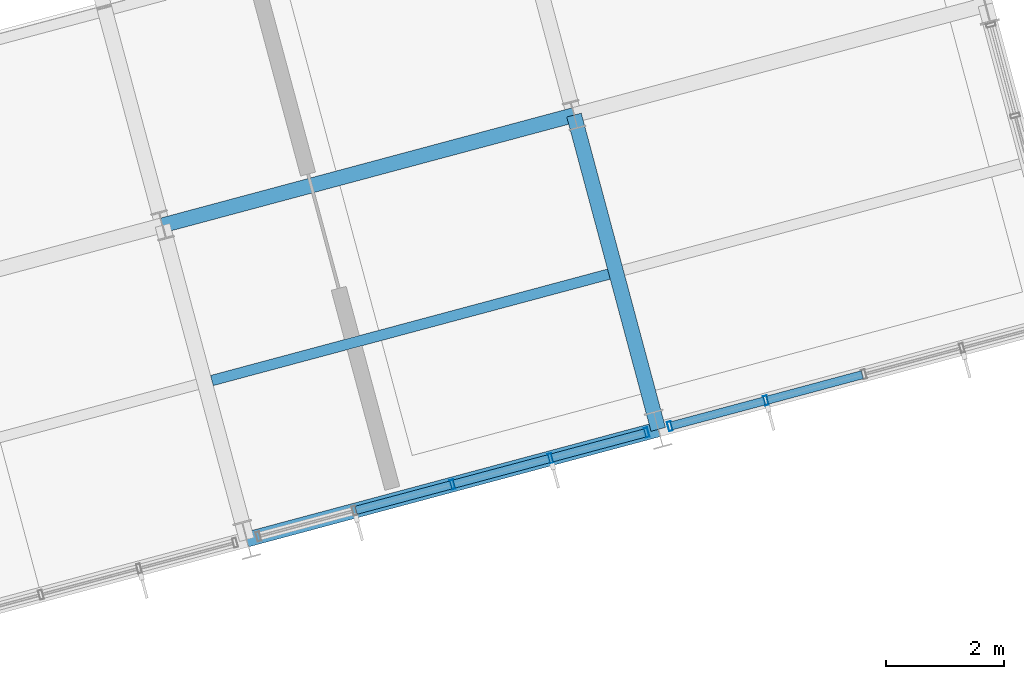
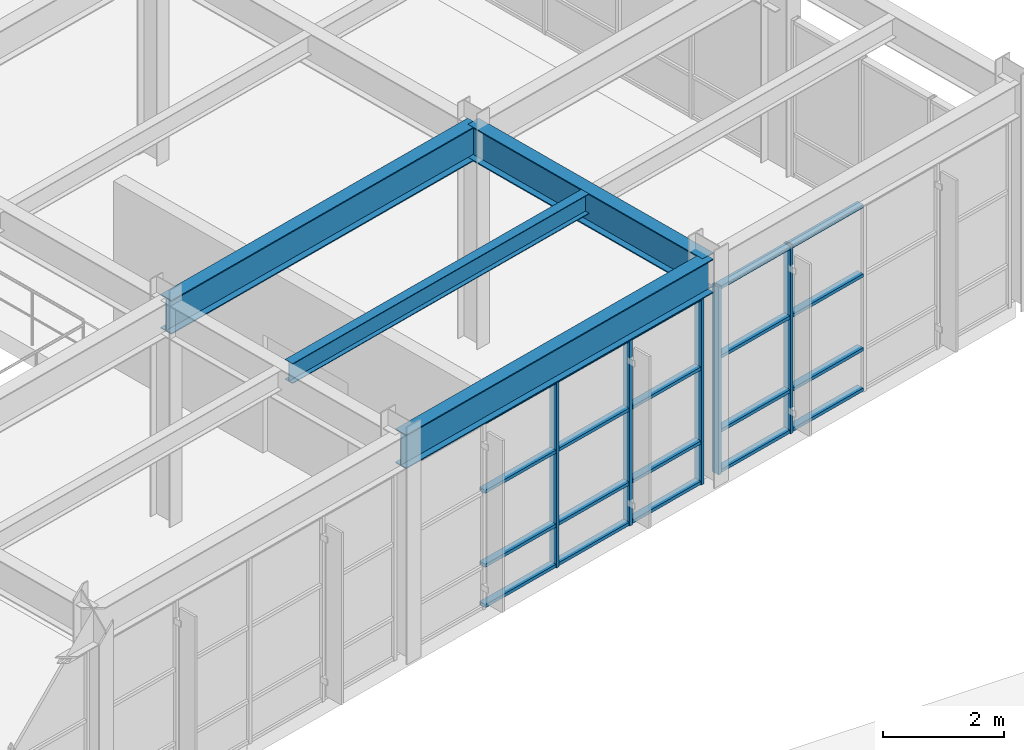
# One storey, part 46 of 104: 25 members, 4 beams, 2 elements without a shape of their own.
"""IFC4 building model written with IfcOpenShell, lengths in metres."""

import ifcopenshell
import ifcopenshell.guid

model = None  # the IFC model being written
_history = None  # IfcOwnerHistory: only IFC2X3 demands one
_inside = {}  # id of a spatial element -> (the spatial element, [elements in it])
_under = {}  # id of a project, library or spatial element -> (it, [spatial elements below it])
_declared = {}  # id of a project -> (the project, [libraries it declares])
_typed = {}  # id of a type object -> (the type object, [elements of that type])
_made_of = {}  # id of a material, layer set ... -> (it, [elements and type objects made of it])


def new_model(schema):
    """Start an empty IFC model of exactly this schema.

    Asked for "IFC4X3", IfcOpenShell would pick the latest addendum, in which some entities
    have other attributes; the version numbers below select the first issue.
    IFC2X3 requires an IfcOwnerHistory on every rooted entity: one is made here for all.
    """
    global model, _history
    if schema == "IFC4X3":
        model = ifcopenshell.file(schema_version=(4, 3, 0, 0))
    else:
        model = ifcopenshell.file(schema=schema)
    _inside.clear()
    _under.clear()
    _declared.clear()
    _typed.clear()
    _made_of.clear()
    _history = None
    if model.schema == "IFC2X3":
        org = make("IfcOrganization", Name="unknown")
        user = make(
            "IfcPersonAndOrganization",
            ThePerson=make("IfcPerson", FamilyName="unknown"),
            TheOrganization=org,
        )
        app = make(
            "IfcApplication",
            ApplicationDeveloper=org,
            Version="unknown",
            ApplicationFullName="unknown",
            ApplicationIdentifier="unknown",
        )
        _history = make(
            "IfcOwnerHistory",
            OwningUser=user,
            OwningApplication=app,
            ChangeAction="ADDED",
            CreationDate=0,
        )
    return model


def make(cls, **values):
    """One entity of the class cls with the attributes given. An attribute that is None is left unset."""
    return model.create_entity(
        cls, **{name: value for name, value in values.items() if value is not None}
    )


def rooted(cls, **values):
    """An entity with a GlobalId (a new one), such as an element, a storey or a relation."""
    return make(cls, GlobalId=ifcopenshell.guid.new(), OwnerHistory=_history, **values)


def si_unit(unit_type, name, prefix=None):
    """IfcSIUnit, for example si_unit("LENGTHUNIT", "METRE", prefix="MILLI")."""
    return make("IfcSIUnit", UnitType=unit_type, Prefix=prefix, Name=name)


def assignment(units):
    """IfcUnitAssignment: the units of a project."""
    return None if units is None else make("IfcUnitAssignment", Units=units)


def point(xyz):
    """IfcCartesianPoint."""
    return None if xyz is None else make("IfcCartesianPoint", Coordinates=xyz)


def direction(xyz):
    """IfcDirection."""
    return None if xyz is None else make("IfcDirection", DirectionRatios=xyz)


def frame(location, z_axis=None, x_axis=None):
    """IfcAxis2Placement3D, a coordinate frame: its origin and axes. An axis left out is left unset."""
    return make(
        "IfcAxis2Placement3D",
        Location=point(location),
        Axis=direction(z_axis),
        RefDirection=direction(x_axis),
    )


def frame_2d(location, x_axis=None):
    """IfcAxis2Placement2D, a coordinate frame in the plane: its origin and x axis."""
    return make(
        "IfcAxis2Placement2D", Location=point(location), RefDirection=direction(x_axis)
    )


def origin():
    """The frame at (0, 0, 0) with its axes left unset."""
    return frame((0.0, 0.0, 0.0))


def origin_2d():
    """The frame at (0, 0) in the plane with its x axis left unset."""
    return frame_2d((0.0, 0.0))


def place(relative_to, where):
    """IfcLocalPlacement: puts the frame where relative to a parent placement (None: the world)."""
    return make(
        "IfcLocalPlacement", PlacementRelTo=relative_to, RelativePlacement=where
    )


def context(
    kind, dimensions, precision=None, world=None, true_north=None, identifier=None
):
    """IfcGeometricRepresentationContext, for example the 3D "Model" context."""
    return make(
        "IfcGeometricRepresentationContext",
        ContextIdentifier=identifier,
        ContextType=kind,
        CoordinateSpaceDimension=dimensions,
        Precision=precision,
        WorldCoordinateSystem=world,
        TrueNorth=true_north,
    )


def subcontext(parent, identifier, kind, view, scale=None):
    """IfcGeometricRepresentationSubContext, for example "Body" below "Model"."""
    return make(
        "IfcGeometricRepresentationSubContext",
        ContextIdentifier=identifier,
        ContextType=kind,
        ParentContext=parent,
        TargetScale=scale,
        TargetView=view,
    )


def project(units=None, contexts=None):
    """IfcProject with its units and contexts."""
    return rooted(
        "IfcProject",
        Name="project",
        RepresentationContexts=contexts,
        UnitsInContext=assignment(units),
    )


def spatial(cls, under=None, at=None, **own):
    """A site, building, storey or space (cls), placed at a placement, below another one or the project."""
    s = rooted(cls, ObjectPlacement=at, **own)
    if under is not None:
        _under.setdefault(under.id(), (under, []))[1].append(s)
    return s


def profile(cls, at=None, kind="AREA", **sizes):
    """A parametric profile (cls). Its sizes go by their IFC names, for example OverallWidth=200.0."""
    return make(cls, ProfileType=kind, Position=at, **sizes)


def hollow_rectangle(**sizes):
    """IfcRectangleHollowProfileDef."""
    return profile("IfcRectangleHollowProfileDef", **sizes)


def i_section(**sizes):
    """IfcIShapeProfileDef."""
    return profile("IfcIShapeProfileDef", **sizes)


def extrude(swept, where, along, depth):
    """IfcExtrudedAreaSolid: the profile swept, set in the frame where, extruded along a direction by depth."""
    return make(
        "IfcExtrudedAreaSolid",
        SweptArea=swept,
        Position=where,
        ExtrudedDirection=direction(along),
        Depth=depth,
    )


def shape(context_of_items, identifier, shape_type, items):
    """IfcShapeRepresentation: the items that make up one representation, for example the "Body"."""
    return make(
        "IfcShapeRepresentation",
        ContextOfItems=context_of_items,
        RepresentationIdentifier=identifier,
        RepresentationType=shape_type,
        Items=items,
    )


def material(Name=None, Category=None):
    """IfcMaterial."""
    return make("IfcMaterial", Name=Name, Category=Category)


def layer(
    of_material, thickness, ventilated=None, Name=None, Category=None, Priority=None
):
    """IfcMaterialLayer: one layer of a wall or slab, of a material (None: an air gap)."""
    return make(
        "IfcMaterialLayer",
        Material=of_material,
        LayerThickness=thickness,
        IsVentilated=ventilated,
        Name=Name,
        Category=Category,
        Priority=Priority,
    )


def layer_set(layers, Name=None):
    """IfcMaterialLayerSet."""
    return make("IfcMaterialLayerSet", MaterialLayers=layers, LayerSetName=Name)


def material_profile(
    of_material, cross_section, Name=None, Category=None, Priority=None
):
    """IfcMaterialProfile: a cross section and its material."""
    return make(
        "IfcMaterialProfile",
        Name=Name,
        Material=of_material,
        Profile=cross_section,
        Priority=Priority,
        Category=Category,
    )


def profile_set(profiles, Name=None, composite=None):
    """IfcMaterialProfileSet."""
    return make(
        "IfcMaterialProfileSet",
        Name=Name,
        MaterialProfiles=profiles,
        CompositeProfile=composite,
    )


def made_of(thing, what):
    """Note that an element or type object is made of a material, layer set ...; save() writes the relation."""
    if what is not None:
        _made_of.setdefault(what.id(), (what, []))[1].append(thing)
    return thing


def type_object(cls, material=None, **own):
    """A type object (cls), such as IfcWallType, which elements share."""
    return made_of(rooted(cls, **own), material)


def element(
    cls,
    number,
    at=None,
    inside=None,
    cuts=None,
    type_object=None,
    material=None,
    context=None,
    identifier="Body",
    shape_type=None,
    held_by="IfcProductDefinitionShape",
    body=None,
    shapes=None,
    **own,
):
    """One element of the class cls, such as IfcWall. Its Tag is "e" and its number.

    at: its placement. inside: the storey or other place that contains it. cuts: it is an
    opening in that element (IfcRelVoidsElement). A single representation is given by context,
    identifier, shape_type and body (its items); several are given by shapes. held_by: the class
    of the entity that holds the representations. save() writes the other relations.
    """
    e = rooted(cls, Tag="e%d" % number, ObjectPlacement=at, **own)
    if body is not None:
        shapes = [shape(context, identifier, shape_type, body)]
    if shapes is not None:
        e.Representation = make(held_by, Representations=shapes)
    if inside is not None:
        _inside.setdefault(inside.id(), (inside, []))[1].append(e)
    if cuts is not None:
        rooted(
            "IfcRelVoidsElement", RelatingBuildingElement=cuts, RelatedOpeningElement=e
        )
    if type_object is not None:
        _typed.setdefault(type_object.id(), (type_object, []))[1].append(e)
    return made_of(e, material)


def aggregate(whole, parts):
    """IfcRelAggregates: a whole, such as a stair, and the parts it consists of."""
    return rooted("IfcRelAggregates", RelatingObject=whole, RelatedObjects=parts)


def save(model, path):
    """Write the relations noted so far, then the file.

    IfcRelAggregates (storeys below a building ...), IfcRelContainedInSpatialStructure (elements
    in a storey), IfcRelDefinesByType, IfcRelAssociatesMaterial and IfcRelDeclares: one each for
    every whole, place, type object, material and project.
    """
    for whole, parts in _under.values():
        aggregate(whole, parts)
    for where, things in _inside.values():
        rooted(
            "IfcRelContainedInSpatialStructure",
            RelatedElements=things,
            RelatingStructure=where,
        )
    for kind, things in _typed.values():
        rooted("IfcRelDefinesByType", RelatedObjects=things, RelatingType=kind)
    for what, things in _made_of.values():
        rooted("IfcRelAssociatesMaterial", RelatedObjects=things, RelatingMaterial=what)
    for by, libraries in _declared.values():
        rooted("IfcRelDeclares", RelatingContext=by, RelatedDefinitions=libraries)
    model.write(path)


model = new_model("IFC4")

# Units and contexts
model_context = context("Model", 3, precision=1e-05, world=origin(), true_north=direction((0.0, 1.0)))
body_context = subcontext(model_context, "Body", "Model", "MODEL_VIEW")
ifc_project = project(units=[si_unit("LENGTHUNIT", "METRE"), si_unit("AREAUNIT", "SQUARE_METRE"), si_unit("VOLUMEUNIT", "CUBIC_METRE"), si_unit("PLANEANGLEUNIT", "RADIAN"), si_unit("MASSUNIT", "GRAM", prefix="KILO")], contexts=[model_context])

# Site, building, storey
site_placement = place(None, origin())
site = spatial("IfcSite", under=ifc_project, at=site_placement, CompositionType="ELEMENT")
building_placement = place(site_placement, origin())
building = spatial("IfcBuilding", under=site, at=building_placement, Name="Ventoquebrada Cableway Terminal", CompositionType="ELEMENT")
storey_placement = place(building_placement, frame((0.0, 0.0, 4.800048828125)))
storey = spatial("IfcBuildingStorey", under=building, at=storey_placement, Name="L01", CompositionType="ELEMENT", Elevation=4.800048828125)

# Beams
ifc_material_1 = material(Name="Steel ASTM A992 Grade 50", Category="steel")
ifc_material_profile_1 = material_profile(ifc_material_1, i_section(OverallWidth=0.25390625, OverallDepth=0.68798828125, WebThickness=0.01318359375, FlangeThickness=0.02099609375, at=origin_2d()), Name="W27X102")
ifc_profile_set_1 = profile_set([ifc_material_profile_1], Name="Steel ASTM A992 Grade 50")
beam_type_1 = type_object("IfcBeamType", Name="BM-ST04", PredefinedType="BEAM", material=ifc_profile_set_1)
beam_1_placement = place(storey_placement, frame((79.797119140625, 77.238037109375, 4.130859375), z_axis=(-0.258897298886, 0.965904854853, 0.0), x_axis=(-0.965904854853, -0.258897298886, 0.0)))
element("IfcBeam", 1, at=beam_1_placement, inside=storey, type_object=beam_type_1, Name="Splayed station girder FBM-1033", PredefinedType="BEAM", context=body_context, shape_type="SweptSolid", body=[
    extrude(i_section(OverallWidth=0.25390625, OverallDepth=0.68798828125, WebThickness=0.01318359375, FlangeThickness=0.02099609375, at=origin_2d()), origin(), (0.0, 0.0, 1.0), 5.50048828125),
])
beam_2_placement = place(storey_placement, frame((72.842041015625, 75.375, 4.130859375), z_axis=(0.965945630245, 0.258745124417, 0.0), x_axis=(-0.258745124417, 0.965945630245, 0.0)))
element("IfcBeam", 2, at=beam_2_placement, inside=storey, type_object=beam_type_1, Name="Splayed station girder FBM-1044", PredefinedType="BEAM", context=body_context, shape_type="SweptSolid", body=[
    extrude(i_section(OverallWidth=0.25390625, OverallDepth=0.68798828125, WebThickness=0.01318359375, FlangeThickness=0.02099609375, at=origin_2d()), origin(), (0.0, 0.0, 1.0), 7.2001953125),
])
beam_3_placement = place(storey_placement, frame((71.41796875, 80.68701171875, 4.130859375), z_axis=(0.96591172503, 0.258871665986, 0.0), x_axis=(-0.258871665986, 0.96591172503, 0.0)))
element("IfcBeam", 3, at=beam_3_placement, inside=storey, type_object=beam_type_1, Name="Splayed station girder FBM-1049", PredefinedType="BEAM", context=body_context, shape_type="SweptSolid", body=[
    extrude(i_section(OverallWidth=0.25390625, OverallDepth=0.68798828125, WebThickness=0.01318359375, FlangeThickness=0.02099609375, at=origin_2d()), origin(), (0.0, 0.0, 1.0), 7.200439453125),
])

# Curtain wall, members
ifc_material_2 = material(Name="Anodized thermally-broken aluminium", Category="aluminium")
ifc_layer_1 = layer(ifc_material_2, 0.159912109375)
ifc_layer_set_1 = layer_set([ifc_layer_1], Name="Anodized thermally-broken aluminium")
curtain_wall_type_1 = type_object("IfcCurtainWallType", Name="CW-T36", PredefinedType="USERDEFINED", material=ifc_layer_set_1)
curtain_wall_1_placement = place(storey_placement, origin())
curtain_wall_1 = element("IfcCurtainWall", 4, at=curtain_wall_1_placement, inside=storey, type_object=curtain_wall_type_1, Name="Unitised glazed curtain wall CW-086", ObjectType="UNITISED CURTAIN WALL", PredefinedType="USERDEFINED")
ifc_material_profile_2 = material_profile(ifc_material_2, hollow_rectangle(XDim=0.06494140625, YDim=0.159912109375, WallThickness=0.00390625, at=origin_2d()), Name="CW-MUL-65X160")
ifc_profile_set_2 = profile_set([ifc_material_profile_2], Name="Anodized thermally-broken aluminium")
member_type_1 = type_object("IfcMemberType", Name="CWM-01", PredefinedType="MULLION", material=ifc_profile_set_2)
member_1_placement = place(storey_placement, frame((76.320068359375, 76.305908203125, -0.008056640625), z_axis=(0.0, 0.0, 1.0), x_axis=(0.965970984022, 0.258650455301, 0.0)))
member_1 = element("IfcMember", 5, at=member_1_placement, type_object=member_type_1, Name="Curtain wall mullion FML-0421", PredefinedType="MULLION", context=body_context, shape_type="SweptSolid", body=[
    extrude(hollow_rectangle(XDim=0.06494140625, YDim=0.159912109375, WallThickness=0.00390625, at=origin_2d()), origin(), (0.0, 0.0, 1.0), 3.794921875),
])
member_2_placement = place(storey_placement, frame((77.97705078125, 76.75, -0.008056640625), z_axis=(0.0, 0.0, 1.0), x_axis=(0.965970984022, 0.258650455301, 0.0)))
member_2 = element("IfcMember", 6, at=member_2_placement, type_object=member_type_1, Name="Curtain wall mullion FML-0422", PredefinedType="MULLION", context=body_context, shape_type="SweptSolid", body=[
    extrude(hollow_rectangle(XDim=0.06494140625, YDim=0.159912109375, WallThickness=0.00390625, at=origin_2d()), origin(), (0.0, 0.0, 1.0), 3.794921875),
])
member_3_placement = place(storey_placement, frame((79.60009765625, 77.18505859375, -0.008056640625), z_axis=(0.0, 0.0, 1.0), x_axis=(0.965970984022, 0.258650455301, 0.0)))
member_3 = element("IfcMember", 7, at=member_3_placement, type_object=member_type_1, Name="Curtain wall mullion FML-0423", PredefinedType="MULLION", context=body_context, shape_type="SweptSolid", body=[
    extrude(hollow_rectangle(XDim=0.06494140625, YDim=0.159912109375, WallThickness=0.00390625, at=origin_2d()), origin(), (0.0, 0.0, 1.0), 3.794921875),
])

ifc_layer_2 = layer(ifc_material_2, 0.159912109375)
ifc_layer_set_2 = layer_set([ifc_layer_2], Name="Anodized thermally-broken aluminium")
curtain_wall_type_2 = type_object("IfcCurtainWallType", Name="CW-T37", PredefinedType="USERDEFINED", material=ifc_layer_set_2)
curtain_wall_2_placement = place(storey_placement, origin())
curtain_wall_2 = element("IfcCurtainWall", 8, at=curtain_wall_2_placement, inside=storey, type_object=curtain_wall_type_2, Name="Unitised glazed curtain wall CW-087", ObjectType="UNITISED CURTAIN WALL", PredefinedType="USERDEFINED")
member_4_placement = place(storey_placement, frame((79.993896484375, 77.291015625, -0.008056640625), z_axis=(0.0, 0.0, 1.0), x_axis=(0.965925826289, 0.258819045103, 0.0)))
member_4 = element("IfcMember", 9, at=member_4_placement, type_object=member_type_1, Name="Curtain wall mullion FML-0424", PredefinedType="MULLION", context=body_context, shape_type="SweptSolid", body=[
    extrude(hollow_rectangle(XDim=0.06494140625, YDim=0.159912109375, WallThickness=0.00390625, at=origin_2d()), origin(), (0.0, 0.0, 1.0), 3.794921875),
])
member_5_placement = place(storey_placement, frame((81.616943359375, 77.72607421875, -0.008056640625), z_axis=(0.0, 0.0, 1.0), x_axis=(0.965925826289, 0.258819045103, 0.0)))
member_5 = element("IfcMember", 10, at=member_5_placement, type_object=member_type_1, Name="Curtain wall mullion FML-0425", PredefinedType="MULLION", context=body_context, shape_type="SweptSolid", body=[
    extrude(hollow_rectangle(XDim=0.06494140625, YDim=0.159912109375, WallThickness=0.00390625, at=origin_2d()), origin(), (0.0, 0.0, 1.0), 3.794921875),
])

# Member
ifc_material_profile_3 = material_profile(ifc_material_2, hollow_rectangle(XDim=0.06494140625, YDim=0.139892578125, WallThickness=0.00390625, at=origin_2d()), Name="CW-TRN-65X140")
ifc_profile_set_3 = profile_set([ifc_material_profile_3], Name="Anodized thermally-broken aluminium")
member_type_2 = type_object("IfcMemberType", Name="CWT-01", PredefinedType="USERDEFINED", material=ifc_profile_set_3)
member_6_placement = place(storey_placement, frame((74.68896484375, 75.8701171875, 0.034912109375), z_axis=(0.966051658676, 0.258348974778, 0.0), x_axis=(0.0, 0.0, 1.0)))
member_6 = element("IfcMember", 11, at=member_6_placement, type_object=member_type_2, Name="Curtain wall transom FTR-1244", ObjectType="TRANSOM", PredefinedType="USERDEFINED", context=body_context, shape_type="SweptSolid", body=[
    extrude(hollow_rectangle(XDim=0.06494140625, YDim=0.139892578125, WallThickness=0.00390625, at=origin_2d()), origin(), (0.0, 0.0, 1.0), 1.660400390625),
])

member_7_placement = place(storey_placement, frame((74.68896484375, 75.8701171875, 0.849853515625), z_axis=(0.966051658676, 0.258348974778, 0.0), x_axis=(0.0, 0.0, 1.0)))
member_7 = element("IfcMember", 12, at=member_7_placement, type_object=member_type_2, Name="Curtain wall transom FTR-1245", ObjectType="TRANSOM", PredefinedType="USERDEFINED", context=body_context, shape_type="SweptSolid", body=[
    extrude(hollow_rectangle(XDim=0.06494140625, YDim=0.139892578125, WallThickness=0.00390625, at=origin_2d()), origin(), (0.0, 0.0, 1.0), 1.660400390625),
])

member_8_placement = place(storey_placement, frame((74.68896484375, 75.8701171875, 2.344970703125), z_axis=(0.966051658676, 0.258348974778, 0.0), x_axis=(0.0, 0.0, 1.0)))
member_8 = element("IfcMember", 13, at=member_8_placement, type_object=member_type_2, Name="Curtain wall transom FTR-1246", ObjectType="TRANSOM", PredefinedType="USERDEFINED", context=body_context, shape_type="SweptSolid", body=[
    extrude(hollow_rectangle(XDim=0.06494140625, YDim=0.139892578125, WallThickness=0.00390625, at=origin_2d()), origin(), (0.0, 0.0, 1.0), 1.660400390625),
])

member_9_placement = place(storey_placement, frame((74.68896484375, 75.8701171875, 3.7470703125), z_axis=(0.966051658676, 0.258348974778, 0.0), x_axis=(0.0, 0.0, 1.0)))
member_9 = element("IfcMember", 14, at=member_9_placement, type_object=member_type_2, Name="Curtain wall transom FTR-1247", ObjectType="TRANSOM", PredefinedType="USERDEFINED", context=body_context, shape_type="SweptSolid", body=[
    extrude(hollow_rectangle(XDim=0.06494140625, YDim=0.139892578125, WallThickness=0.00390625, at=origin_2d()), origin(), (0.0, 0.0, 1.0), 1.660400390625),
])

member_10_placement = place(storey_placement, frame((76.345947265625, 76.31396484375, 0.034912109375), z_axis=(0.966051658676, 0.258348974778, 0.0), x_axis=(0.0, 0.0, 1.0)))
member_10 = element("IfcMember", 15, at=member_10_placement, type_object=member_type_2, Name="Curtain wall transom FTR-1248", ObjectType="TRANSOM", PredefinedType="USERDEFINED", context=body_context, shape_type="SweptSolid", body=[
    extrude(hollow_rectangle(XDim=0.06494140625, YDim=0.139892578125, WallThickness=0.00390625, at=origin_2d()), origin(), (0.0, 0.0, 1.0), 1.660400390625),
])

member_11_placement = place(storey_placement, frame((76.345947265625, 76.31396484375, 0.849853515625), z_axis=(0.966051658676, 0.258348974778, 0.0), x_axis=(0.0, 0.0, 1.0)))
member_11 = element("IfcMember", 16, at=member_11_placement, type_object=member_type_2, Name="Curtain wall transom FTR-1249", ObjectType="TRANSOM", PredefinedType="USERDEFINED", context=body_context, shape_type="SweptSolid", body=[
    extrude(hollow_rectangle(XDim=0.06494140625, YDim=0.139892578125, WallThickness=0.00390625, at=origin_2d()), origin(), (0.0, 0.0, 1.0), 1.660400390625),
])

member_12_placement = place(storey_placement, frame((76.345947265625, 76.31396484375, 2.344970703125), z_axis=(0.966051658676, 0.258348974778, 0.0), x_axis=(0.0, 0.0, 1.0)))
member_12 = element("IfcMember", 17, at=member_12_placement, type_object=member_type_2, Name="Curtain wall transom FTR-1250", ObjectType="TRANSOM", PredefinedType="USERDEFINED", context=body_context, shape_type="SweptSolid", body=[
    extrude(hollow_rectangle(XDim=0.06494140625, YDim=0.139892578125, WallThickness=0.00390625, at=origin_2d()), origin(), (0.0, 0.0, 1.0), 1.660400390625),
])

member_13_placement = place(storey_placement, frame((76.345947265625, 76.31396484375, 3.7470703125), z_axis=(0.966051658676, 0.258348974778, 0.0), x_axis=(0.0, 0.0, 1.0)))
member_13 = element("IfcMember", 18, at=member_13_placement, type_object=member_type_2, Name="Curtain wall transom FTR-1251", ObjectType="TRANSOM", PredefinedType="USERDEFINED", context=body_context, shape_type="SweptSolid", body=[
    extrude(hollow_rectangle(XDim=0.06494140625, YDim=0.139892578125, WallThickness=0.00390625, at=origin_2d()), origin(), (0.0, 0.0, 1.0), 1.660400390625),
])

member_14_placement = place(storey_placement, frame((78.0029296875, 76.757080078125, 0.034912109375), z_axis=(0.965935321875, 0.258783604493, 0.0), x_axis=(0.0, 0.0, 1.0)))
member_14 = element("IfcMember", 19, at=member_14_placement, type_object=member_type_2, Name="Curtain wall transom FTR-1252", ObjectType="TRANSOM", PredefinedType="USERDEFINED", context=body_context, shape_type="SweptSolid", body=[
    extrude(hollow_rectangle(XDim=0.06494140625, YDim=0.139892578125, WallThickness=0.00390625, at=origin_2d()), origin(), (0.0, 0.0, 1.0), 1.62646484375),
])

member_15_placement = place(storey_placement, frame((78.0029296875, 76.757080078125, 0.849853515625), z_axis=(0.965935321875, 0.258783604493, 0.0), x_axis=(0.0, 0.0, 1.0)))
member_15 = element("IfcMember", 20, at=member_15_placement, type_object=member_type_2, Name="Curtain wall transom FTR-1253", ObjectType="TRANSOM", PredefinedType="USERDEFINED", context=body_context, shape_type="SweptSolid", body=[
    extrude(hollow_rectangle(XDim=0.06494140625, YDim=0.139892578125, WallThickness=0.00390625, at=origin_2d()), origin(), (0.0, 0.0, 1.0), 1.62646484375),
])

member_16_placement = place(storey_placement, frame((78.0029296875, 76.757080078125, 2.344970703125), z_axis=(0.965935321875, 0.258783604493, 0.0), x_axis=(0.0, 0.0, 1.0)))
member_16 = element("IfcMember", 21, at=member_16_placement, type_object=member_type_2, Name="Curtain wall transom FTR-1254", ObjectType="TRANSOM", PredefinedType="USERDEFINED", context=body_context, shape_type="SweptSolid", body=[
    extrude(hollow_rectangle(XDim=0.06494140625, YDim=0.139892578125, WallThickness=0.00390625, at=origin_2d()), origin(), (0.0, 0.0, 1.0), 1.62646484375),
])

member_17_placement = place(storey_placement, frame((78.0029296875, 76.757080078125, 3.7470703125), z_axis=(0.965935321875, 0.258783604493, 0.0), x_axis=(0.0, 0.0, 1.0)))
member_17 = element("IfcMember", 22, at=member_17_placement, type_object=member_type_2, Name="Curtain wall transom FTR-1255", ObjectType="TRANSOM", PredefinedType="USERDEFINED", context=body_context, shape_type="SweptSolid", body=[
    extrude(hollow_rectangle(XDim=0.06494140625, YDim=0.139892578125, WallThickness=0.00390625, at=origin_2d()), origin(), (0.0, 0.0, 1.0), 1.62646484375),
])

aggregate(curtain_wall_1, [member_1, member_2, member_3, member_6, member_7, member_8, member_9, member_10, member_11, member_12, member_13, member_14, member_15, member_16, member_17])

member_18_placement = place(storey_placement, frame((80.02001953125, 77.298095703125, 0.034912109375), z_axis=(0.965895076966, 0.258933775881, 0.0), x_axis=(0.0, 0.0, 1.0)))
member_18 = element("IfcMember", 23, at=member_18_placement, type_object=member_type_2, Name="Curtain wall transom FTR-1256", ObjectType="TRANSOM", PredefinedType="USERDEFINED", context=body_context, shape_type="SweptSolid", body=[
    extrude(hollow_rectangle(XDim=0.06494140625, YDim=0.139892578125, WallThickness=0.00390625, at=origin_2d()), origin(), (0.0, 0.0, 1.0), 1.62548828125),
])

member_19_placement = place(storey_placement, frame((80.02001953125, 77.298095703125, 0.849853515625), z_axis=(0.965895076966, 0.258933775881, 0.0), x_axis=(0.0, 0.0, 1.0)))
member_19 = element("IfcMember", 24, at=member_19_placement, type_object=member_type_2, Name="Curtain wall transom FTR-1257", ObjectType="TRANSOM", PredefinedType="USERDEFINED", context=body_context, shape_type="SweptSolid", body=[
    extrude(hollow_rectangle(XDim=0.06494140625, YDim=0.139892578125, WallThickness=0.00390625, at=origin_2d()), origin(), (0.0, 0.0, 1.0), 1.62548828125),
])

member_20_placement = place(storey_placement, frame((80.02001953125, 77.298095703125, 2.344970703125), z_axis=(0.965895076966, 0.258933775881, 0.0), x_axis=(0.0, 0.0, 1.0)))
member_20 = element("IfcMember", 25, at=member_20_placement, type_object=member_type_2, Name="Curtain wall transom FTR-1258", ObjectType="TRANSOM", PredefinedType="USERDEFINED", context=body_context, shape_type="SweptSolid", body=[
    extrude(hollow_rectangle(XDim=0.06494140625, YDim=0.139892578125, WallThickness=0.00390625, at=origin_2d()), origin(), (0.0, 0.0, 1.0), 1.62548828125),
])

member_21_placement = place(storey_placement, frame((80.02001953125, 77.298095703125, 3.7470703125), z_axis=(0.965895076966, 0.258933775881, 0.0), x_axis=(0.0, 0.0, 1.0)))
member_21 = element("IfcMember", 26, at=member_21_placement, type_object=member_type_2, Name="Curtain wall transom FTR-1259", ObjectType="TRANSOM", PredefinedType="USERDEFINED", context=body_context, shape_type="SweptSolid", body=[
    extrude(hollow_rectangle(XDim=0.06494140625, YDim=0.139892578125, WallThickness=0.00390625, at=origin_2d()), origin(), (0.0, 0.0, 1.0), 1.62548828125),
])

member_22_placement = place(storey_placement, frame((81.64404296875, 77.73291015625, 0.034912109375), z_axis=(0.965828469051, 0.259182114296, 0.0), x_axis=(0.0, 0.0, 1.0)))
member_22 = element("IfcMember", 27, at=member_22_placement, type_object=member_type_2, Name="Curtain wall transom FTR-1260", ObjectType="TRANSOM", PredefinedType="USERDEFINED", context=body_context, shape_type="SweptSolid", body=[
    extrude(hollow_rectangle(XDim=0.06494140625, YDim=0.139892578125, WallThickness=0.00390625, at=origin_2d()), origin(), (0.0, 0.0, 1.0), 1.65966796875),
])

member_23_placement = place(storey_placement, frame((81.64404296875, 77.73291015625, 0.849853515625), z_axis=(0.965828469051, 0.259182114296, 0.0), x_axis=(0.0, 0.0, 1.0)))
member_23 = element("IfcMember", 28, at=member_23_placement, type_object=member_type_2, Name="Curtain wall transom FTR-1261", ObjectType="TRANSOM", PredefinedType="USERDEFINED", context=body_context, shape_type="SweptSolid", body=[
    extrude(hollow_rectangle(XDim=0.06494140625, YDim=0.139892578125, WallThickness=0.00390625, at=origin_2d()), origin(), (0.0, 0.0, 1.0), 1.65966796875),
])

member_24_placement = place(storey_placement, frame((81.64404296875, 77.73291015625, 2.344970703125), z_axis=(0.965828469051, 0.259182114296, 0.0), x_axis=(0.0, 0.0, 1.0)))
member_24 = element("IfcMember", 29, at=member_24_placement, type_object=member_type_2, Name="Curtain wall transom FTR-1262", ObjectType="TRANSOM", PredefinedType="USERDEFINED", context=body_context, shape_type="SweptSolid", body=[
    extrude(hollow_rectangle(XDim=0.06494140625, YDim=0.139892578125, WallThickness=0.00390625, at=origin_2d()), origin(), (0.0, 0.0, 1.0), 1.65966796875),
])

member_25_placement = place(storey_placement, frame((81.64404296875, 77.73291015625, 3.7470703125), z_axis=(0.965828469051, 0.259182114296, 0.0), x_axis=(0.0, 0.0, 1.0)))
member_25 = element("IfcMember", 30, at=member_25_placement, type_object=member_type_2, Name="Curtain wall transom FTR-1263", ObjectType="TRANSOM", PredefinedType="USERDEFINED", context=body_context, shape_type="SweptSolid", body=[
    extrude(hollow_rectangle(XDim=0.06494140625, YDim=0.139892578125, WallThickness=0.00390625, at=origin_2d()), origin(), (0.0, 0.0, 1.0), 1.65966796875),
])

aggregate(curtain_wall_2, [member_4, member_5, member_18, member_19, member_20, member_21, member_22, member_23, member_24, member_25])

# Beam
ifc_material_profile_4 = material_profile(ifc_material_1, i_section(OverallWidth=0.177978515625, OverallDepth=0.406005859375, WebThickness=0.0078125, FlangeThickness=0.0126953125, at=origin_2d()), Name="W16X40")
ifc_profile_set_4 = profile_set([ifc_material_profile_4], Name="Steel ASTM A992 Grade 50")
beam_type_2 = type_object("IfcBeamType", Name="JST-ST06", PredefinedType="JOIST", material=ifc_profile_set_4)
beam_4_placement = place(storey_placement, frame((72.2529296875, 78.06396484375, 4.27197265625), z_axis=(0.96591039222, 0.258876638963, 0.0), x_axis=(-0.258876638963, 0.96591039222, 0.0)))
element("IfcBeam", 31, at=beam_4_placement, inside=storey, type_object=beam_type_2, Name="Splayed deck joist FBM-1074", PredefinedType="JOIST", context=body_context, shape_type="SweptSolid", body=[
    extrude(i_section(OverallWidth=0.177978515625, OverallDepth=0.406005859375, WebThickness=0.0078125, FlangeThickness=0.0126953125, at=origin_2d()), origin(), (0.0, 0.0, 1.0), 6.94580078125),
])

save(model, "model.ifc")
